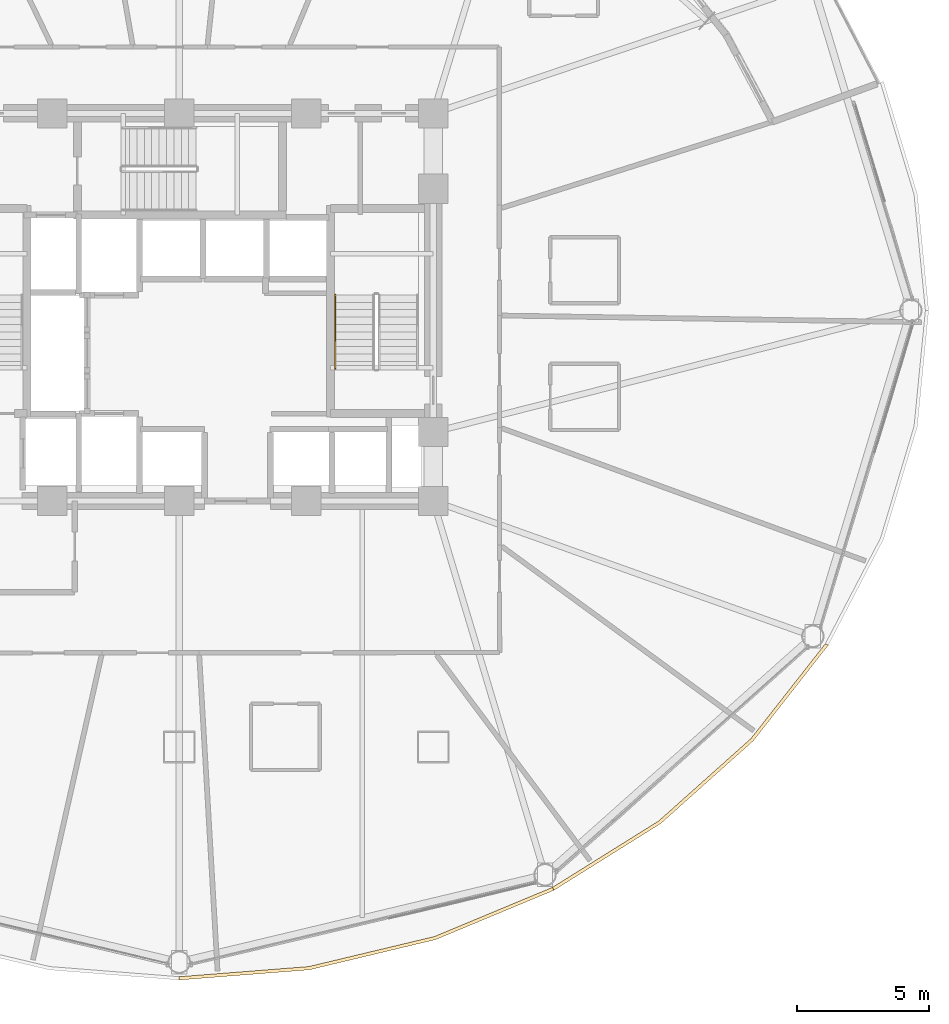
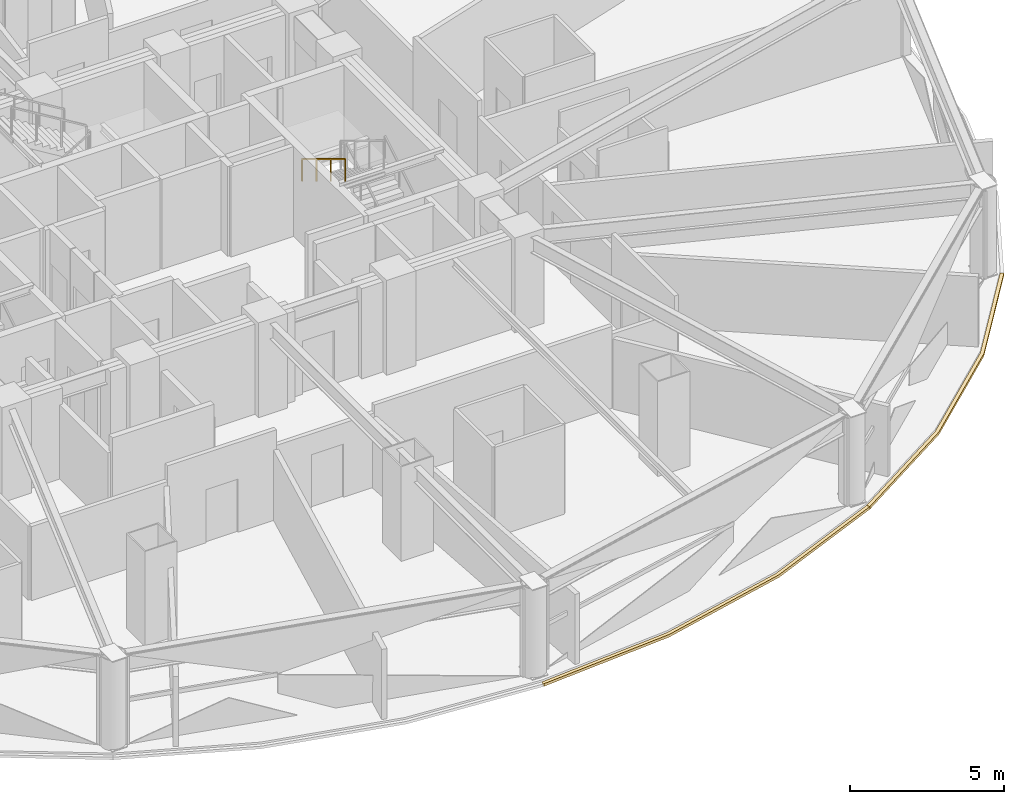
# One storey, part 31 of 33: 2 coverings, 1 railing.
"""IFC4 building model written with IfcOpenShell, lengths in metres."""

from ifc_helpers import new_model, si_unit, direction, frame, origin, origin_2d, place, context, subcontext, project, spatial, polyline, rectangle, outline, extrude, material, layer, layer_set, type_object, element, save


model = new_model("IFC4")

# Units and contexts
model_context = context("Model", 3, precision=1e-05, world=origin(), true_north=direction((0.0, 1.0)))
body_context = subcontext(model_context, "Body", "Model", "MODEL_VIEW")
ifc_project = project(units=[si_unit("LENGTHUNIT", "METRE"), si_unit("AREAUNIT", "SQUARE_METRE"), si_unit("VOLUMEUNIT", "CUBIC_METRE"), si_unit("PLANEANGLEUNIT", "RADIAN"), si_unit("MASSUNIT", "GRAM", prefix="KILO")], contexts=[model_context])

# Site, building, storey
site_placement = place(None, origin())
site = spatial("IfcSite", under=ifc_project, at=site_placement, CompositionType="ELEMENT")
building_placement = place(site_placement, origin())
building = spatial("IfcBuilding", under=site, at=building_placement, Name="Vantalir Tower", CompositionType="ELEMENT")
storey_placement = place(building_placement, frame((0.0, 0.0, 68.25)))
storey = spatial("IfcBuildingStorey", under=building, at=storey_placement, Name="L16", CompositionType="ELEMENT", Elevation=68.25)

# Coverings
ifc_material_1 = material(Name="Anodised champagne aluminium sill fascia", Category="aluminium")
ifc_layer = layer(ifc_material_1, 0.125)
ifc_layer_set = layer_set([ifc_layer], Name="Anodised champagne aluminium sill fascia")
covering_type = type_object("IfcCoveringType", Name="COV-SLAB-FASCIA-125", PredefinedType="CLADDING", material=ifc_layer_set)
covering_1_placement = place(storey_placement, frame((0.0, 0.0, -0.179931640625)))
element("IfcCovering", 1, at=covering_1_placement, inside=storey, type_object=covering_type, Name="L16 Perimeter Slab-Edge Sill Fascia 10", PredefinedType="CLADDING", context=body_context, shape_type="SweptSolid", body=[
    extrude(outline(polyline([(31.5, -0.303955078125), (36.4189453125, 0.080078125), (41.18798828125, 1.221923828125), (45.6630859375, 3.0859375), (45.60009765625, 3.194091796875), (41.14501953125, 1.339111328125), (36.39697265625, 0.2041015625), (31.5, -0.178955078125), (31.5, -0.303955078125)])), origin(), (0.0, 0.0, 1.0), 0.10498046875),
])
covering_2_placement = place(storey_placement, frame((0.0, 0.0, -0.179931640625)))
element("IfcCovering", 2, at=covering_2_placement, inside=storey, type_object=covering_type, Name="L16 Perimeter Slab-Edge Sill Fascia 11", PredefinedType="CLADDING", context=body_context, shape_type="SweptSolid", body=[
    extrude(outline(polyline([(45.6630859375, 3.0859375), (49.70703125, 5.615966796875), (53.197998046875, 8.735107421875), (56.030029296875, 12.347900390625), (55.922119140625, 12.409912109375), (53.10205078125, 8.81494140625), (49.626953125, 5.7119140625), (45.60009765625, 3.194091796875), (45.6630859375, 3.0859375)])), origin(), (0.0, 0.0, 1.0), 0.10498046875),
])

# Railing
ifc_material_2 = material(Name="Brushed stainless steel tubular handrail", Category="steel")
railing_type = type_object("IfcRailingType", Name="RAL-HANDRAIL-900", PredefinedType="HANDRAIL", material=ifc_material_2)
railing_placement = place(storey_placement, frame((37.39990234375, 25.590087890625, 2.04541015625)))
element("IfcRailing", 3, at=railing_placement, inside=storey, type_object=railing_type, Name="L16 ST2 stair handrail 2", PredefinedType="HANDRAIL", context=body_context, shape_type="SweptSolid", body=[
    extrude(rectangle(XDim=0.048095703125, YDim=0.048095703125, at=origin_2d()), frame((0.0, 0.0, 0.8759765625), z_axis=(0.0, -0.854169791009, 0.51999420009), x_axis=(1.0, 0.0, 0.0)), (0.0, 0.0, 1.0), 3.278076171875),
    extrude(rectangle(XDim=0.0419921875, YDim=0.0419921875, at=origin_2d()), origin(), (0.0, 0.0, 1.0), 0.851806640625),
    extrude(rectangle(XDim=0.0419921875, YDim=0.0419921875, at=origin_2d()), frame((0.0, -0.933349609375, 0.568115234375)), (0.0, 0.0, 1.0), 0.851806640625),
    extrude(rectangle(XDim=0.0419921875, YDim=0.0419921875, at=origin_2d()), frame((0.0, -1.86669921875, 1.136474609375)), (0.0, 0.0, 1.0), 0.851806640625),
    extrude(rectangle(XDim=0.0419921875, YDim=0.0419921875, at=origin_2d()), frame((0.0, -2.800048828125, 1.70458984375)), (0.0, 0.0, 1.0), 0.851806640625),
])

save(model, "model.ifc")
